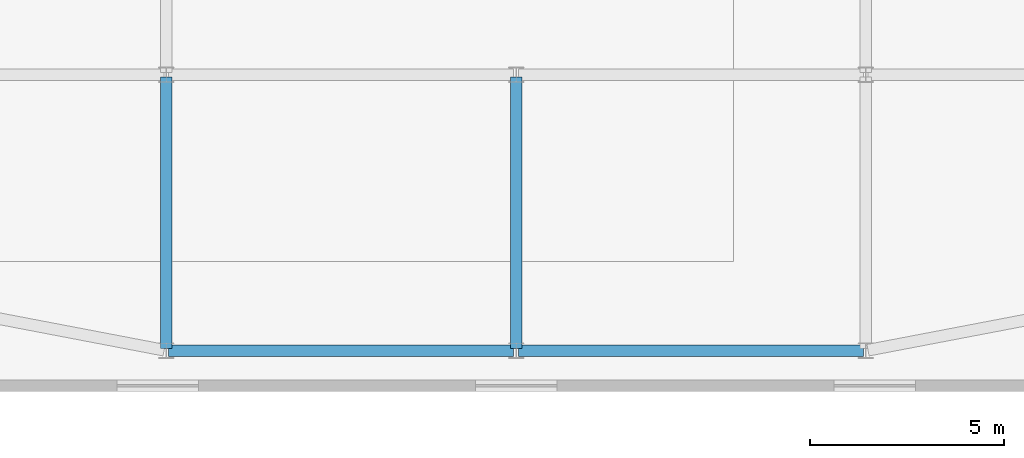
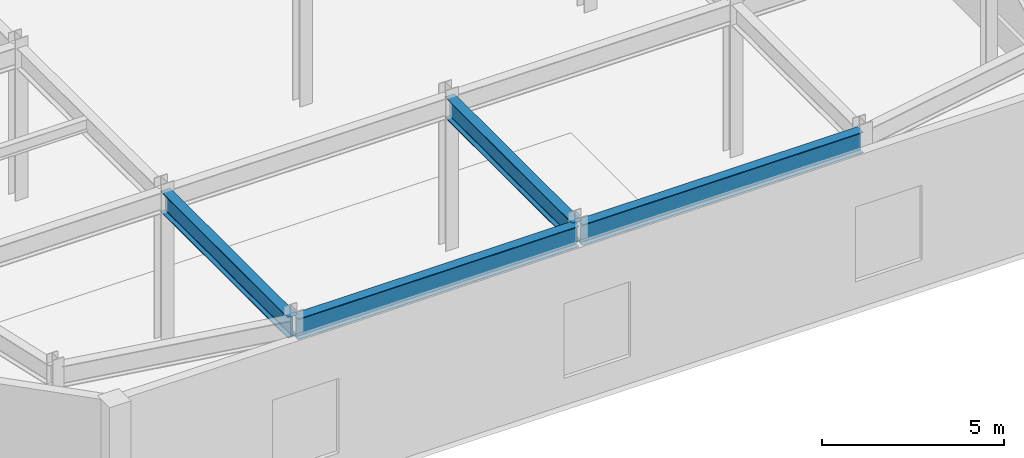
# One storey, part 33 of 51: 4 beams.
"""IFC4 building model written with IfcOpenShell, lengths in metres."""

from ifc_helpers import new_model, si_unit, direction, frame, origin, origin_2d, place, context, subcontext, project, spatial, i_section, extrude, material, material_profile, profile_set, type_object, element, save


model = new_model("IFC4")

# Units and contexts
model_context = context("Model", 3, precision=1e-05, world=origin(), true_north=direction((0.0, 1.0)))
body_context = subcontext(model_context, "Body", "Model", "MODEL_VIEW")
ifc_project = project(units=[si_unit("LENGTHUNIT", "METRE"), si_unit("AREAUNIT", "SQUARE_METRE"), si_unit("VOLUMEUNIT", "CUBIC_METRE"), si_unit("PLANEANGLEUNIT", "RADIAN"), si_unit("MASSUNIT", "GRAM", prefix="KILO")], contexts=[model_context])

# Site, building, storey
site_placement = place(None, origin())
site = spatial("IfcSite", under=ifc_project, at=site_placement, CompositionType="ELEMENT")
building_placement = place(site_placement, origin())
building = spatial("IfcBuilding", under=site, at=building_placement, Name="Saevonmaru Cultural Tower", CompositionType="ELEMENT")
storey_placement = place(building_placement, frame((0.0, 0.0, 6.0)))
storey = spatial("IfcBuildingStorey", under=building, at=storey_placement, Name="L01", CompositionType="ELEMENT", Elevation=6.0)

# Beams
ifc_material = material(Name="Steel SM355", Category="steel")
ifc_material_profile = material_profile(ifc_material, i_section(OverallWidth=0.300048828125, OverallDepth=0.699951171875, WebThickness=0.012939453125, FlangeThickness=0.02392578125, FilletRadius=0.02587890625, at=origin_2d()), Name="H-700x300x13x24")
ifc_profile_set = profile_set([ifc_material_profile], Name="Steel SM355")
beam_type = type_object("IfcBeamType", Name="BM-G-H700", PredefinedType="BEAM", material=ifc_profile_set)
for number, where, z_axis, x_axis, name in (
    (1, (81.260009765625, 8.89990234375, 4.75), (1.0, 0.0, 0.0), (0.0, 1.0, 0.0), "L01 Library Girder EW-1-2"),
    (2, (90.260009765625, 8.89990234375, 4.75), (1.0, 0.0, 0.0), (0.0, 1.0, 0.0), "L01 Library Girder EW-1-3"),
):
    element("IfcBeam", number, at=place(storey_placement, frame(where, z_axis=z_axis, x_axis=x_axis)), inside=storey, type_object=beam_type, Name=name, PredefinedType="BEAM", context=body_context, shape_type="SweptSolid", body=[
        extrude(i_section(OverallWidth=0.300048828125, OverallDepth=0.699951171875, WebThickness=0.012939453125, FlangeThickness=0.02392578125, FilletRadius=0.02587890625, at=origin_2d()), origin(), (0.0, 0.0, 1.0), 8.8798828125),
    ])
for number, where, z_axis, x_axis, name in (
    (3, (81.199951171875, 8.9599609375, 4.75), (0.0, 1.0, 0.0), (-1.0, 0.0, 0.0), "L01 Library Girder NS-2-1"),
    (4, (90.199951171875, 8.9599609375, 4.75), (0.0, 1.0, 0.0), (-1.0, 0.0, 0.0), "L01 Library Girder NS-3-1"),
):
    element("IfcBeam", number, at=place(storey_placement, frame(where, z_axis=z_axis, x_axis=x_axis)), inside=storey, type_object=beam_type, Name=name, PredefinedType="BEAM", context=body_context, shape_type="SweptSolid", body=[
        extrude(i_section(OverallWidth=0.300048828125, OverallDepth=0.699951171875, WebThickness=0.012939453125, FlangeThickness=0.02392578125, FilletRadius=0.02587890625, at=origin_2d()), origin(), (0.0, 0.0, 1.0), 6.97998046875),
    ])

save(model, "model.ifc")
